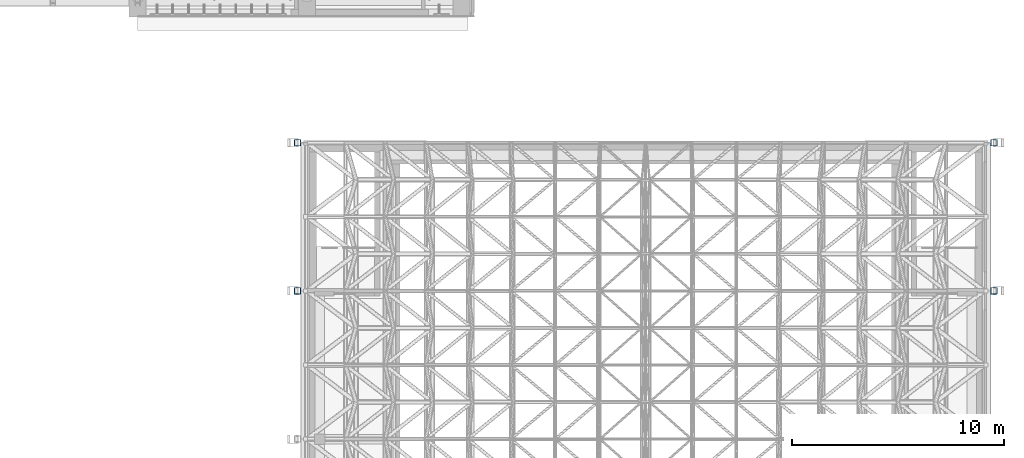
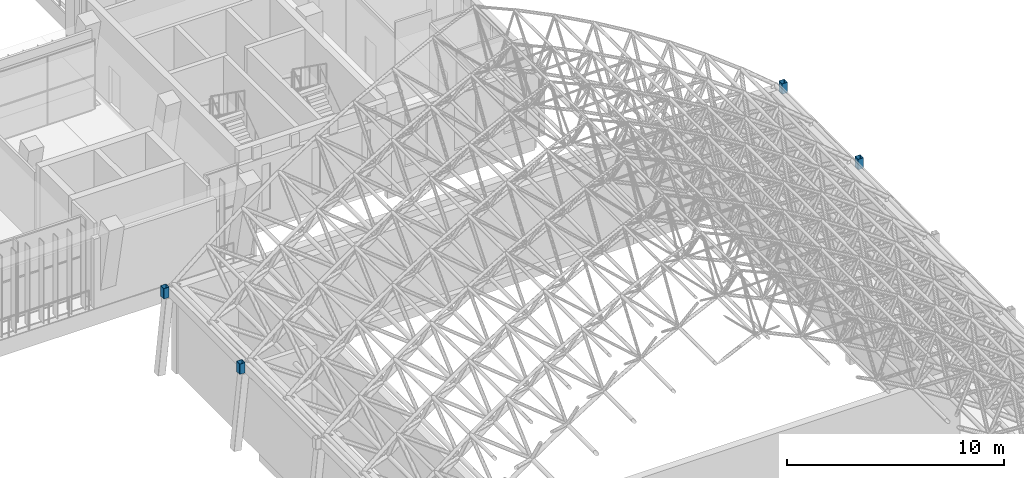
# One storey, part 7 of 141: 4 columns.
"""IFC4 building model written with IfcOpenShell, lengths in metres."""

import ifcopenshell
import ifcopenshell.guid

model = None  # the IFC model being written
_history = None  # IfcOwnerHistory: only IFC2X3 demands one
_inside = {}  # id of a spatial element -> (the spatial element, [elements in it])
_under = {}  # id of a project, library or spatial element -> (it, [spatial elements below it])
_declared = {}  # id of a project -> (the project, [libraries it declares])
_typed = {}  # id of a type object -> (the type object, [elements of that type])
_made_of = {}  # id of a material, layer set ... -> (it, [elements and type objects made of it])


def new_model(schema):
    """Start an empty IFC model of exactly this schema.

    Asked for "IFC4X3", IfcOpenShell would pick the latest addendum, in which some entities
    have other attributes; the version numbers below select the first issue.
    IFC2X3 requires an IfcOwnerHistory on every rooted entity: one is made here for all.
    """
    global model, _history
    if schema == "IFC4X3":
        model = ifcopenshell.file(schema_version=(4, 3, 0, 0))
    else:
        model = ifcopenshell.file(schema=schema)
    _inside.clear()
    _under.clear()
    _declared.clear()
    _typed.clear()
    _made_of.clear()
    _history = None
    if model.schema == "IFC2X3":
        org = make("IfcOrganization", Name="unknown")
        user = make(
            "IfcPersonAndOrganization",
            ThePerson=make("IfcPerson", FamilyName="unknown"),
            TheOrganization=org,
        )
        app = make(
            "IfcApplication",
            ApplicationDeveloper=org,
            Version="unknown",
            ApplicationFullName="unknown",
            ApplicationIdentifier="unknown",
        )
        _history = make(
            "IfcOwnerHistory",
            OwningUser=user,
            OwningApplication=app,
            ChangeAction="ADDED",
            CreationDate=0,
        )
    return model


def make(cls, **values):
    """One entity of the class cls with the attributes given. An attribute that is None is left unset."""
    return model.create_entity(
        cls, **{name: value for name, value in values.items() if value is not None}
    )


def rooted(cls, **values):
    """An entity with a GlobalId (a new one), such as an element, a storey or a relation."""
    return make(cls, GlobalId=ifcopenshell.guid.new(), OwnerHistory=_history, **values)


def si_unit(unit_type, name, prefix=None):
    """IfcSIUnit, for example si_unit("LENGTHUNIT", "METRE", prefix="MILLI")."""
    return make("IfcSIUnit", UnitType=unit_type, Prefix=prefix, Name=name)


def assignment(units):
    """IfcUnitAssignment: the units of a project."""
    return None if units is None else make("IfcUnitAssignment", Units=units)


def point(xyz):
    """IfcCartesianPoint."""
    return None if xyz is None else make("IfcCartesianPoint", Coordinates=xyz)


def direction(xyz):
    """IfcDirection."""
    return None if xyz is None else make("IfcDirection", DirectionRatios=xyz)


def frame(location, z_axis=None, x_axis=None):
    """IfcAxis2Placement3D, a coordinate frame: its origin and axes. An axis left out is left unset."""
    return make(
        "IfcAxis2Placement3D",
        Location=point(location),
        Axis=direction(z_axis),
        RefDirection=direction(x_axis),
    )


def frame_2d(location, x_axis=None):
    """IfcAxis2Placement2D, a coordinate frame in the plane: its origin and x axis."""
    return make(
        "IfcAxis2Placement2D", Location=point(location), RefDirection=direction(x_axis)
    )


def origin():
    """The frame at (0, 0, 0) with its axes left unset."""
    return frame((0.0, 0.0, 0.0))


def origin_2d():
    """The frame at (0, 0) in the plane with its x axis left unset."""
    return frame_2d((0.0, 0.0))


def place(relative_to, where):
    """IfcLocalPlacement: puts the frame where relative to a parent placement (None: the world)."""
    return make(
        "IfcLocalPlacement", PlacementRelTo=relative_to, RelativePlacement=where
    )


def context(
    kind, dimensions, precision=None, world=None, true_north=None, identifier=None
):
    """IfcGeometricRepresentationContext, for example the 3D "Model" context."""
    return make(
        "IfcGeometricRepresentationContext",
        ContextIdentifier=identifier,
        ContextType=kind,
        CoordinateSpaceDimension=dimensions,
        Precision=precision,
        WorldCoordinateSystem=world,
        TrueNorth=true_north,
    )


def subcontext(parent, identifier, kind, view, scale=None):
    """IfcGeometricRepresentationSubContext, for example "Body" below "Model"."""
    return make(
        "IfcGeometricRepresentationSubContext",
        ContextIdentifier=identifier,
        ContextType=kind,
        ParentContext=parent,
        TargetScale=scale,
        TargetView=view,
    )


def project(units=None, contexts=None):
    """IfcProject with its units and contexts."""
    return rooted(
        "IfcProject",
        Name="project",
        RepresentationContexts=contexts,
        UnitsInContext=assignment(units),
    )


def spatial(cls, under=None, at=None, **own):
    """A site, building, storey or space (cls), placed at a placement, below another one or the project."""
    s = rooted(cls, ObjectPlacement=at, **own)
    if under is not None:
        _under.setdefault(under.id(), (under, []))[1].append(s)
    return s


def profile(cls, at=None, kind="AREA", **sizes):
    """A parametric profile (cls). Its sizes go by their IFC names, for example OverallWidth=200.0."""
    return make(cls, ProfileType=kind, Position=at, **sizes)


def hollow_rectangle(**sizes):
    """IfcRectangleHollowProfileDef."""
    return profile("IfcRectangleHollowProfileDef", **sizes)


def extrude(swept, where, along, depth):
    """IfcExtrudedAreaSolid: the profile swept, set in the frame where, extruded along a direction by depth."""
    return make(
        "IfcExtrudedAreaSolid",
        SweptArea=swept,
        Position=where,
        ExtrudedDirection=direction(along),
        Depth=depth,
    )


def shape(context_of_items, identifier, shape_type, items):
    """IfcShapeRepresentation: the items that make up one representation, for example the "Body"."""
    return make(
        "IfcShapeRepresentation",
        ContextOfItems=context_of_items,
        RepresentationIdentifier=identifier,
        RepresentationType=shape_type,
        Items=items,
    )


def material(Name=None, Category=None):
    """IfcMaterial."""
    return make("IfcMaterial", Name=Name, Category=Category)


def material_profile(
    of_material, cross_section, Name=None, Category=None, Priority=None
):
    """IfcMaterialProfile: a cross section and its material."""
    return make(
        "IfcMaterialProfile",
        Name=Name,
        Material=of_material,
        Profile=cross_section,
        Priority=Priority,
        Category=Category,
    )


def profile_set(profiles, Name=None, composite=None):
    """IfcMaterialProfileSet."""
    return make(
        "IfcMaterialProfileSet",
        Name=Name,
        MaterialProfiles=profiles,
        CompositeProfile=composite,
    )


def made_of(thing, what):
    """Note that an element or type object is made of a material, layer set ...; save() writes the relation."""
    if what is not None:
        _made_of.setdefault(what.id(), (what, []))[1].append(thing)
    return thing


def type_object(cls, material=None, **own):
    """A type object (cls), such as IfcWallType, which elements share."""
    return made_of(rooted(cls, **own), material)


def element(
    cls,
    number,
    at=None,
    inside=None,
    cuts=None,
    type_object=None,
    material=None,
    context=None,
    identifier="Body",
    shape_type=None,
    held_by="IfcProductDefinitionShape",
    body=None,
    shapes=None,
    **own,
):
    """One element of the class cls, such as IfcWall. Its Tag is "e" and its number.

    at: its placement. inside: the storey or other place that contains it. cuts: it is an
    opening in that element (IfcRelVoidsElement). A single representation is given by context,
    identifier, shape_type and body (its items); several are given by shapes. held_by: the class
    of the entity that holds the representations. save() writes the other relations.
    """
    e = rooted(cls, Tag="e%d" % number, ObjectPlacement=at, **own)
    if body is not None:
        shapes = [shape(context, identifier, shape_type, body)]
    if shapes is not None:
        e.Representation = make(held_by, Representations=shapes)
    if inside is not None:
        _inside.setdefault(inside.id(), (inside, []))[1].append(e)
    if cuts is not None:
        rooted(
            "IfcRelVoidsElement", RelatingBuildingElement=cuts, RelatedOpeningElement=e
        )
    if type_object is not None:
        _typed.setdefault(type_object.id(), (type_object, []))[1].append(e)
    return made_of(e, material)


def aggregate(whole, parts):
    """IfcRelAggregates: a whole, such as a stair, and the parts it consists of."""
    return rooted("IfcRelAggregates", RelatingObject=whole, RelatedObjects=parts)


def save(model, path):
    """Write the relations noted so far, then the file.

    IfcRelAggregates (storeys below a building ...), IfcRelContainedInSpatialStructure (elements
    in a storey), IfcRelDefinesByType, IfcRelAssociatesMaterial and IfcRelDeclares: one each for
    every whole, place, type object, material and project.
    """
    for whole, parts in _under.values():
        aggregate(whole, parts)
    for where, things in _inside.values():
        rooted(
            "IfcRelContainedInSpatialStructure",
            RelatedElements=things,
            RelatingStructure=where,
        )
    for kind, things in _typed.values():
        rooted("IfcRelDefinesByType", RelatedObjects=things, RelatingType=kind)
    for what, things in _made_of.values():
        rooted("IfcRelAssociatesMaterial", RelatedObjects=things, RelatingMaterial=what)
    for by, libraries in _declared.values():
        rooted("IfcRelDeclares", RelatingContext=by, RelatedDefinitions=libraries)
    model.write(path)


model = new_model("IFC4")

# Units and contexts
model_context = context("Model", 3, precision=1e-05, world=origin(), true_north=direction((0.0, 1.0)))
body_context = subcontext(model_context, "Body", "Model", "MODEL_VIEW")
ifc_project = project(units=[si_unit("LENGTHUNIT", "METRE"), si_unit("AREAUNIT", "SQUARE_METRE"), si_unit("VOLUMEUNIT", "CUBIC_METRE"), si_unit("PLANEANGLEUNIT", "RADIAN"), si_unit("MASSUNIT", "GRAM", prefix="KILO")], contexts=[model_context])

# Site, building, storey
site_placement = place(None, origin())
site = spatial("IfcSite", under=ifc_project, at=site_placement, CompositionType="ELEMENT")
building_placement = place(site_placement, origin())
building = spatial("IfcBuilding", under=site, at=building_placement, Name="Lantern Court Media Centre", CompositionType="ELEMENT")
storey_placement = place(building_placement, frame((0.0, 0.0, 9.60009765625)))
storey = spatial("IfcBuildingStorey", under=building, at=storey_placement, Name="L02", CompositionType="ELEMENT", Elevation=9.60009765625)

# Columns
ifc_material = material(Name="Steel S355J2 (EN 10025-2)", Category="steel")
ifc_material_profile = material_profile(ifc_material, hollow_rectangle(XDim=0.300048828125, YDim=0.300048828125, WallThickness=0.012451171875, InnerFilletRadius=0.012451171875, OuterFilletRadius=0.018798828125, at=origin_2d()), Name="Studio Hall buttress pinnacle SHS 300x12.5")
ifc_profile_set = profile_set([ifc_material_profile], Name="Steel S355J2 (EN 10025-2)")
column_type = type_object("IfcColumnType", Name="Studio Hall buttress pinnacle SHS 300x12.5", PredefinedType="COLUMN", material=ifc_profile_set)
for number, where, z_axis, x_axis, name in (
    (1, (71.5498046875, 33.0, 4.220458984375), (0.0, 0.0, 1.0), (1.0, 0.0, 0.0), "Studio Hall pinnacle west 6"),
    (2, (71.5498046875, 40.0, 4.220458984375), (0.0, 0.0, 1.0), (1.0, 0.0, 0.0), "Studio Hall pinnacle west 7"),
    (3, (104.4501953125, 33.0, 4.220458984375), (0.0, 0.0, 1.0), (1.0, 0.0, 0.0), "Studio Hall pinnacle east 6"),
    (4, (104.4501953125, 40.0, 4.220458984375), (0.0, 0.0, 1.0), (1.0, 0.0, 0.0), "Studio Hall pinnacle east 7"),
):
    element("IfcColumn", number, at=place(storey_placement, frame(where, z_axis=z_axis, x_axis=x_axis)), inside=storey, type_object=column_type, Name=name, PredefinedType="COLUMN", context=body_context, shape_type="SweptSolid", body=[
        extrude(hollow_rectangle(XDim=0.300048828125, YDim=0.300048828125, WallThickness=0.012451171875, InnerFilletRadius=0.012451171875, OuterFilletRadius=0.018798828125, at=origin_2d()), origin(), (0.0, 0.0, 1.0), 0.579345703125),
    ])

save(model, "model.ifc")
